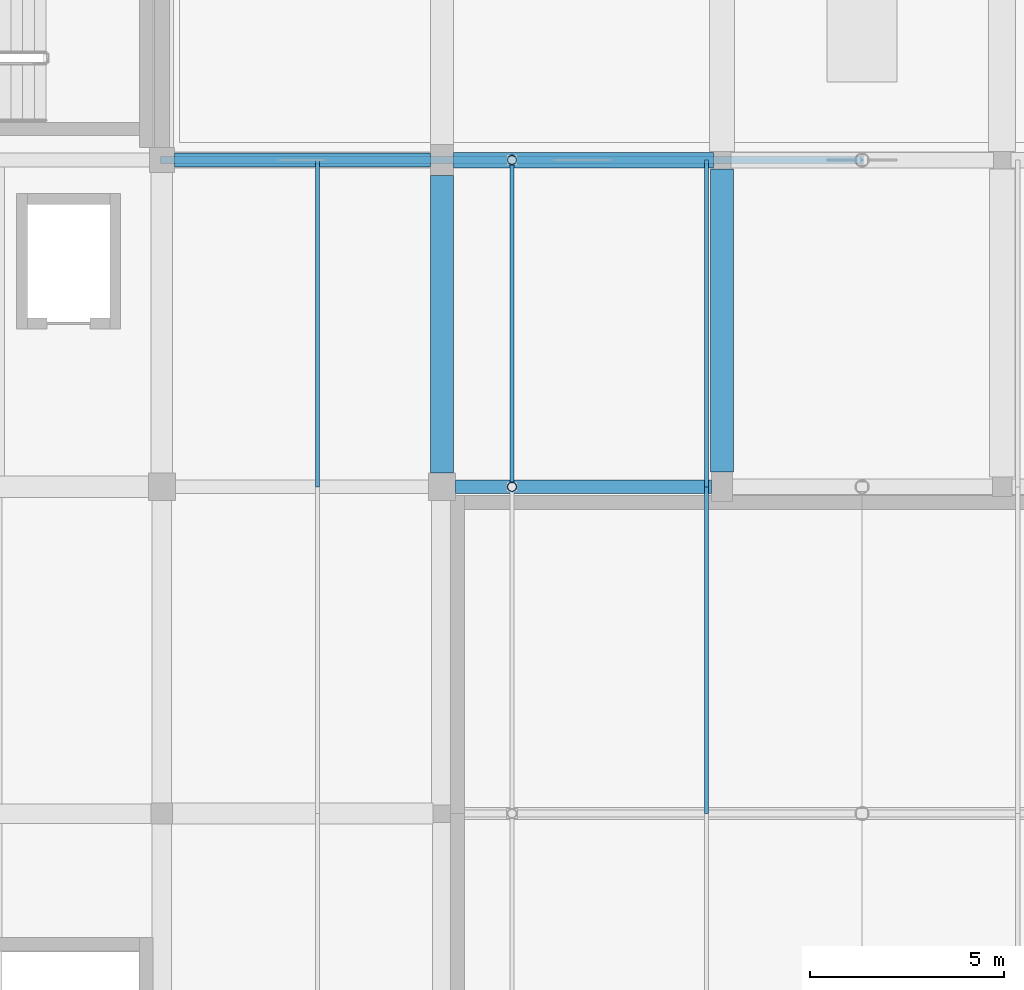
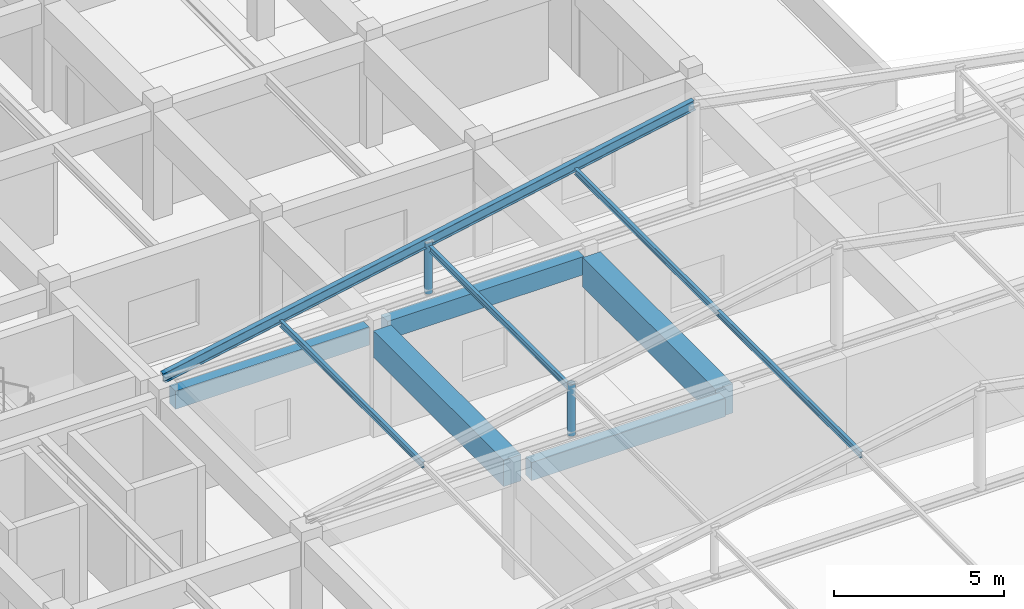
# One storey, part 32 of 74: 7 members, 5 beams.
"""IFC4 building model written with IfcOpenShell, lengths in metres."""

import ifcopenshell
import ifcopenshell.guid

model = None  # the IFC model being written
_history = None  # IfcOwnerHistory: only IFC2X3 demands one
_inside = {}  # id of a spatial element -> (the spatial element, [elements in it])
_under = {}  # id of a project, library or spatial element -> (it, [spatial elements below it])
_declared = {}  # id of a project -> (the project, [libraries it declares])
_typed = {}  # id of a type object -> (the type object, [elements of that type])
_made_of = {}  # id of a material, layer set ... -> (it, [elements and type objects made of it])


def new_model(schema):
    """Start an empty IFC model of exactly this schema.

    Asked for "IFC4X3", IfcOpenShell would pick the latest addendum, in which some entities
    have other attributes; the version numbers below select the first issue.
    IFC2X3 requires an IfcOwnerHistory on every rooted entity: one is made here for all.
    """
    global model, _history
    if schema == "IFC4X3":
        model = ifcopenshell.file(schema_version=(4, 3, 0, 0))
    else:
        model = ifcopenshell.file(schema=schema)
    _inside.clear()
    _under.clear()
    _declared.clear()
    _typed.clear()
    _made_of.clear()
    _history = None
    if model.schema == "IFC2X3":
        org = make("IfcOrganization", Name="unknown")
        user = make(
            "IfcPersonAndOrganization",
            ThePerson=make("IfcPerson", FamilyName="unknown"),
            TheOrganization=org,
        )
        app = make(
            "IfcApplication",
            ApplicationDeveloper=org,
            Version="unknown",
            ApplicationFullName="unknown",
            ApplicationIdentifier="unknown",
        )
        _history = make(
            "IfcOwnerHistory",
            OwningUser=user,
            OwningApplication=app,
            ChangeAction="ADDED",
            CreationDate=0,
        )
    return model


def make(cls, **values):
    """One entity of the class cls with the attributes given. An attribute that is None is left unset."""
    return model.create_entity(
        cls, **{name: value for name, value in values.items() if value is not None}
    )


def rooted(cls, **values):
    """An entity with a GlobalId (a new one), such as an element, a storey or a relation."""
    return make(cls, GlobalId=ifcopenshell.guid.new(), OwnerHistory=_history, **values)


def si_unit(unit_type, name, prefix=None):
    """IfcSIUnit, for example si_unit("LENGTHUNIT", "METRE", prefix="MILLI")."""
    return make("IfcSIUnit", UnitType=unit_type, Prefix=prefix, Name=name)


def assignment(units):
    """IfcUnitAssignment: the units of a project."""
    return None if units is None else make("IfcUnitAssignment", Units=units)


def point(xyz):
    """IfcCartesianPoint."""
    return None if xyz is None else make("IfcCartesianPoint", Coordinates=xyz)


def direction(xyz):
    """IfcDirection."""
    return None if xyz is None else make("IfcDirection", DirectionRatios=xyz)


def frame(location, z_axis=None, x_axis=None):
    """IfcAxis2Placement3D, a coordinate frame: its origin and axes. An axis left out is left unset."""
    return make(
        "IfcAxis2Placement3D",
        Location=point(location),
        Axis=direction(z_axis),
        RefDirection=direction(x_axis),
    )


def frame_2d(location, x_axis=None):
    """IfcAxis2Placement2D, a coordinate frame in the plane: its origin and x axis."""
    return make(
        "IfcAxis2Placement2D", Location=point(location), RefDirection=direction(x_axis)
    )


def origin():
    """The frame at (0, 0, 0) with its axes left unset."""
    return frame((0.0, 0.0, 0.0))


def origin_2d():
    """The frame at (0, 0) in the plane with its x axis left unset."""
    return frame_2d((0.0, 0.0))


def place(relative_to, where):
    """IfcLocalPlacement: puts the frame where relative to a parent placement (None: the world)."""
    return make(
        "IfcLocalPlacement", PlacementRelTo=relative_to, RelativePlacement=where
    )


def context(
    kind, dimensions, precision=None, world=None, true_north=None, identifier=None
):
    """IfcGeometricRepresentationContext, for example the 3D "Model" context."""
    return make(
        "IfcGeometricRepresentationContext",
        ContextIdentifier=identifier,
        ContextType=kind,
        CoordinateSpaceDimension=dimensions,
        Precision=precision,
        WorldCoordinateSystem=world,
        TrueNorth=true_north,
    )


def subcontext(parent, identifier, kind, view, scale=None):
    """IfcGeometricRepresentationSubContext, for example "Body" below "Model"."""
    return make(
        "IfcGeometricRepresentationSubContext",
        ContextIdentifier=identifier,
        ContextType=kind,
        ParentContext=parent,
        TargetScale=scale,
        TargetView=view,
    )


def project(units=None, contexts=None):
    """IfcProject with its units and contexts."""
    return rooted(
        "IfcProject",
        Name="project",
        RepresentationContexts=contexts,
        UnitsInContext=assignment(units),
    )


def spatial(cls, under=None, at=None, **own):
    """A site, building, storey or space (cls), placed at a placement, below another one or the project."""
    s = rooted(cls, ObjectPlacement=at, **own)
    if under is not None:
        _under.setdefault(under.id(), (under, []))[1].append(s)
    return s


def profile(cls, at=None, kind="AREA", **sizes):
    """A parametric profile (cls). Its sizes go by their IFC names, for example OverallWidth=200.0."""
    return make(cls, ProfileType=kind, Position=at, **sizes)


def rectangle(**sizes):
    """IfcRectangleProfileDef."""
    return profile("IfcRectangleProfileDef", **sizes)


def hollow_circle(**sizes):
    """IfcCircleHollowProfileDef."""
    return profile("IfcCircleHollowProfileDef", **sizes)


def i_section(**sizes):
    """IfcIShapeProfileDef."""
    return profile("IfcIShapeProfileDef", **sizes)


def extrude(swept, where, along, depth):
    """IfcExtrudedAreaSolid: the profile swept, set in the frame where, extruded along a direction by depth."""
    return make(
        "IfcExtrudedAreaSolid",
        SweptArea=swept,
        Position=where,
        ExtrudedDirection=direction(along),
        Depth=depth,
    )


def shape(context_of_items, identifier, shape_type, items):
    """IfcShapeRepresentation: the items that make up one representation, for example the "Body"."""
    return make(
        "IfcShapeRepresentation",
        ContextOfItems=context_of_items,
        RepresentationIdentifier=identifier,
        RepresentationType=shape_type,
        Items=items,
    )


def material(Name=None, Category=None):
    """IfcMaterial."""
    return make("IfcMaterial", Name=Name, Category=Category)


def material_profile(
    of_material, cross_section, Name=None, Category=None, Priority=None
):
    """IfcMaterialProfile: a cross section and its material."""
    return make(
        "IfcMaterialProfile",
        Name=Name,
        Material=of_material,
        Profile=cross_section,
        Priority=Priority,
        Category=Category,
    )


def profile_set(profiles, Name=None, composite=None):
    """IfcMaterialProfileSet."""
    return make(
        "IfcMaterialProfileSet",
        Name=Name,
        MaterialProfiles=profiles,
        CompositeProfile=composite,
    )


def made_of(thing, what):
    """Note that an element or type object is made of a material, layer set ...; save() writes the relation."""
    if what is not None:
        _made_of.setdefault(what.id(), (what, []))[1].append(thing)
    return thing


def type_object(cls, material=None, **own):
    """A type object (cls), such as IfcWallType, which elements share."""
    return made_of(rooted(cls, **own), material)


def element(
    cls,
    number,
    at=None,
    inside=None,
    cuts=None,
    type_object=None,
    material=None,
    context=None,
    identifier="Body",
    shape_type=None,
    held_by="IfcProductDefinitionShape",
    body=None,
    shapes=None,
    **own,
):
    """One element of the class cls, such as IfcWall. Its Tag is "e" and its number.

    at: its placement. inside: the storey or other place that contains it. cuts: it is an
    opening in that element (IfcRelVoidsElement). A single representation is given by context,
    identifier, shape_type and body (its items); several are given by shapes. held_by: the class
    of the entity that holds the representations. save() writes the other relations.
    """
    e = rooted(cls, Tag="e%d" % number, ObjectPlacement=at, **own)
    if body is not None:
        shapes = [shape(context, identifier, shape_type, body)]
    if shapes is not None:
        e.Representation = make(held_by, Representations=shapes)
    if inside is not None:
        _inside.setdefault(inside.id(), (inside, []))[1].append(e)
    if cuts is not None:
        rooted(
            "IfcRelVoidsElement", RelatingBuildingElement=cuts, RelatedOpeningElement=e
        )
    if type_object is not None:
        _typed.setdefault(type_object.id(), (type_object, []))[1].append(e)
    return made_of(e, material)


def aggregate(whole, parts):
    """IfcRelAggregates: a whole, such as a stair, and the parts it consists of."""
    return rooted("IfcRelAggregates", RelatingObject=whole, RelatedObjects=parts)


def save(model, path):
    """Write the relations noted so far, then the file.

    IfcRelAggregates (storeys below a building ...), IfcRelContainedInSpatialStructure (elements
    in a storey), IfcRelDefinesByType, IfcRelAssociatesMaterial and IfcRelDeclares: one each for
    every whole, place, type object, material and project.
    """
    for whole, parts in _under.values():
        aggregate(whole, parts)
    for where, things in _inside.values():
        rooted(
            "IfcRelContainedInSpatialStructure",
            RelatedElements=things,
            RelatingStructure=where,
        )
    for kind, things in _typed.values():
        rooted("IfcRelDefinesByType", RelatedObjects=things, RelatingType=kind)
    for what, things in _made_of.values():
        rooted("IfcRelAssociatesMaterial", RelatedObjects=things, RelatingMaterial=what)
    for by, libraries in _declared.values():
        rooted("IfcRelDeclares", RelatingContext=by, RelatedDefinitions=libraries)
    model.write(path)


model = new_model("IFC4")

# Units and contexts
model_context = context("Model", 3, precision=1e-05, world=origin(), true_north=direction((0.0, 1.0)))
body_context = subcontext(model_context, "Body", "Model", "MODEL_VIEW")
ifc_project = project(units=[si_unit("LENGTHUNIT", "METRE"), si_unit("AREAUNIT", "SQUARE_METRE"), si_unit("VOLUMEUNIT", "CUBIC_METRE"), si_unit("PLANEANGLEUNIT", "RADIAN"), si_unit("MASSUNIT", "GRAM", prefix="KILO")], contexts=[model_context])

# Site, building, storey
site_placement = place(None, origin())
site = spatial("IfcSite", under=ifc_project, at=site_placement, CompositionType="ELEMENT")
building_placement = place(site_placement, origin())
building = spatial("IfcBuilding", under=site, at=building_placement, Name="Korsvaeld Concert Hall", CompositionType="ELEMENT")
storey_placement = place(building_placement, frame((0.0, 0.0, 9.0)))
storey = spatial("IfcBuildingStorey", under=building, at=storey_placement, Name="L02", CompositionType="ELEMENT", Elevation=9.0)

# Beams
ifc_material_1 = material(Name="Concrete C35/45", Category="concrete")
ifc_material_profile_1 = material_profile(ifc_material_1, rectangle(XDim=0.35009765625, YDim=0.64990234375, at=origin_2d()), Name="RC 350x650")
ifc_profile_set_1 = profile_set([ifc_material_profile_1], Name="Concrete C35/45")
beam_type_1 = type_object("IfcBeamType", Name="BM-RC-350x650", PredefinedType="T_BEAM", material=ifc_profile_set_1)
beam_1_placement = place(storey_placement, frame((125.14990234375, 68.39990234375, 3.514892578125), z_axis=(1.0, 0.0, 0.0), x_axis=(0.0, 1.0, 0.0)))
element("IfcBeam", 1, at=beam_1_placement, inside=storey, type_object=beam_type_1, Name="Primary girder 17-18/K L02", PredefinedType="T_BEAM", context=body_context, shape_type="SweptSolid", body=[
    extrude(rectangle(XDim=0.35009765625, YDim=0.64990234375, at=origin_2d()), origin(), (0.0, 0.0, 1.0), 6.5751953125),
])
beam_2_placement = place(storey_placement, frame((117.925048828125, 76.800048828125, 3.514892578125), z_axis=(1.0, 0.0, 0.0), x_axis=(0.0, 1.0, 0.0)))
element("IfcBeam", 2, at=beam_2_placement, inside=storey, type_object=beam_type_1, Name="Primary girder 16-17/L L02", PredefinedType="T_BEAM", context=body_context, shape_type="SweptSolid", body=[
    extrude(rectangle(XDim=0.35009765625, YDim=0.64990234375, at=origin_2d()), origin(), (0.0, 0.0, 1.0), 6.574951171875),
])
ifc_material_profile_2 = material_profile(ifc_material_1, rectangle(XDim=0.39990234375, YDim=0.64990234375, at=origin_2d()), Name="RC 400x650")
ifc_profile_set_2 = profile_set([ifc_material_profile_2], Name="Concrete C35/45")
beam_type_2 = type_object("IfcBeamType", Name="BM-RC-400x650", PredefinedType="T_BEAM", material=ifc_profile_set_2)
beam_3_placement = place(storey_placement, frame((125.10009765625, 76.800048828125, 3.514892578125), z_axis=(1.0, 0.0, 0.0), x_axis=(0.0, 1.0, 0.0)))
element("IfcBeam", 3, at=beam_3_placement, inside=storey, type_object=beam_type_2, Name="Primary girder 17-18/L L02", PredefinedType="T_BEAM", context=body_context, shape_type="SweptSolid", body=[
    extrude(rectangle(XDim=0.39990234375, YDim=0.64990234375, at=origin_2d()), origin(), (0.0, 0.0, 1.0), 6.6748046875),
])
ifc_material_2 = material(Name="Concrete C40/50", Category="concrete")
ifc_material_profile_3 = material_profile(ifc_material_2, rectangle(XDim=0.60009765625, YDim=1.050048828125, at=origin_2d()), Name="RC 600x1050")
ifc_profile_set_3 = profile_set([ifc_material_profile_3], Name="Concrete C40/50")
beam_type_3 = type_object("IfcBeamType", Name="BM-RC-600x1050", PredefinedType="T_BEAM", material=ifc_profile_set_3)
beam_4_placement = place(storey_placement, frame((132.0, 68.77490234375, 3.31494140625), z_axis=(0.0, 1.0, 0.0), x_axis=(-1.0, 0.0, 0.0)))
element("IfcBeam", 4, at=beam_4_placement, inside=storey, type_object=beam_type_3, Name="Primary girder 18/K-L L02", PredefinedType="T_BEAM", context=body_context, shape_type="SweptSolid", body=[
    extrude(rectangle(XDim=0.60009765625, YDim=1.050048828125, at=origin_2d()), origin(), (0.0, 0.0, 1.0), 7.800048828125),
])
ifc_material_profile_4 = material_profile(ifc_material_2, rectangle(XDim=0.60009765625, YDim=0.949951171875, at=origin_2d()), Name="RC 600x950")
ifc_profile_set_4 = profile_set([ifc_material_profile_4], Name="Concrete C40/50")
beam_type_4 = type_object("IfcBeamType", Name="BM-RC-600x950", PredefinedType="T_BEAM", material=ifc_profile_set_4)
beam_5_placement = place(storey_placement, frame((124.800048828125, 68.75, 3.364990234375), z_axis=(0.0, 1.0, 0.0), x_axis=(-1.0, 0.0, 0.0)))
element("IfcBeam", 5, at=beam_5_placement, inside=storey, type_object=beam_type_4, Name="Primary girder 17/K-L L02", PredefinedType="T_BEAM", context=body_context, shape_type="SweptSolid", body=[
    extrude(rectangle(XDim=0.60009765625, YDim=0.949951171875, at=origin_2d()), origin(), (0.0, 0.0, 1.0), 7.64990234375),
])

# Members
ifc_material_3 = material(Name="Steel S355J2", Category="steel")
ifc_material_profile_5 = material_profile(ifc_material_3, i_section(OverallWidth=0.110107421875, OverallDepth=0.219970703125, WebThickness=0.005859375, FlangeThickness=0.00927734375, FilletRadius=0.011962890625, at=origin_2d()), Name="IPE 220")
ifc_profile_set_5 = profile_set([ifc_material_profile_5], Name="Steel S355J2")
member_type_1 = type_object("IfcMemberType", Name="MEM-PUR-IPE220", PredefinedType="PURLIN", material=ifc_profile_set_5)
for number, where, z_axis, x_axis, name in (
    (6, (121.60009765625, 68.39990234375, 4.89990234375), (0.0, 1.0, 0.0), (-1.0, 0.0, 0.0), "Chamber Hall roof purlin 121.4"),
    (7, (126.60009765625, 68.39990234375, 5.8798828125), (0.0, 1.0, 0.0), (-1.0, 0.0, 0.0), "Chamber Hall roof purlin 126.4"),
):
    element("IfcMember", number, at=place(storey_placement, frame(where, z_axis=z_axis, x_axis=x_axis)), inside=storey, type_object=member_type_1, Name=name, PredefinedType="PURLIN", context=body_context, shape_type="SweptSolid", body=[
        extrude(i_section(OverallWidth=0.110107421875, OverallDepth=0.219970703125, WebThickness=0.005859375, FlangeThickness=0.00927734375, FilletRadius=0.011962890625, at=origin_2d()), origin(), (0.0, 0.0, 1.0), 8.400146484375),
    ])
member_1_placement = place(storey_placement, frame((131.60009765625, 60.0, 6.85009765625), z_axis=(0.0, 1.0, 0.0), x_axis=(-1.0, 0.0, 0.0)))
element("IfcMember", 8, at=member_1_placement, inside=storey, type_object=member_type_1, Name="Chamber Hall roof purlin 131.3", PredefinedType="PURLIN", context=body_context, shape_type="SweptSolid", body=[
    extrude(i_section(OverallWidth=0.110107421875, OverallDepth=0.219970703125, WebThickness=0.005859375, FlangeThickness=0.00927734375, FilletRadius=0.011962890625, at=origin_2d()), origin(), (0.0, 0.0, 1.0), 8.39990234375),
])
member_2_placement = place(storey_placement, frame((131.60009765625, 68.39990234375, 6.85009765625), z_axis=(0.0, 1.0, 0.0), x_axis=(-1.0, 0.0, 0.0)))
element("IfcMember", 9, at=member_2_placement, inside=storey, type_object=member_type_1, Name="Chamber Hall roof purlin 131.4", PredefinedType="PURLIN", context=body_context, shape_type="SweptSolid", body=[
    extrude(i_section(OverallWidth=0.110107421875, OverallDepth=0.219970703125, WebThickness=0.005859375, FlangeThickness=0.00927734375, FilletRadius=0.011962890625, at=origin_2d()), origin(), (0.0, 0.0, 1.0), 8.400146484375),
])
ifc_material_profile_6 = material_profile(ifc_material_3, i_section(OverallWidth=0.169921875, OverallDepth=0.360107421875, WebThickness=0.008056640625, FlangeThickness=0.0126953125, FilletRadius=0.01806640625, at=origin_2d()), Name="IPE 360")
ifc_profile_set_6 = profile_set([ifc_material_profile_6], Name="Steel S355J2")
member_type_2 = type_object("IfcMemberType", Name="MEM-RAF-IPE360", PredefinedType="RAFTER", material=ifc_profile_set_6)
member_3_placement = place(storey_placement, frame((117.60009765625, 76.800048828125, 4.35009765625), z_axis=(0.981615389669, 0.0, 0.190869659102), x_axis=(0.0, 1.0, 0.0)))
element("IfcMember", 10, at=member_3_placement, inside=storey, type_object=member_type_2, Name="Chamber Hall west pitched rafter 5", PredefinedType="RAFTER", context=body_context, shape_type="SweptSolid", body=[
    extrude(i_section(OverallWidth=0.169921875, OverallDepth=0.360107421875, WebThickness=0.008056640625, FlangeThickness=0.0126953125, FilletRadius=0.01806640625, at=origin_2d()), origin(), (0.0, 0.0, 1.0), 18.337158203125),
])
ifc_material_profile_7 = material_profile(ifc_material_3, hollow_circle(Radius=0.122314453125, WallThickness=0.012451171875, at=origin_2d()), Name="CHS 244.5x12.5")
ifc_profile_set_7 = profile_set([ifc_material_profile_7], Name="Steel S355J2")
member_type_3 = type_object("IfcMemberType", Name="MEM-STR-CHS244", PredefinedType="STRUT", material=ifc_profile_set_7)
for number, where, z_axis, x_axis, name in (
    (11, (126.60009765625, 68.39990234375, 4.25), (0.0, 0.0, 1.0), (1.0, 0.0, 0.0), "Chamber Hall truss web 4.126"),
    (12, (126.60009765625, 76.800048828125, 4.25), (0.0, 0.0, 1.0), (1.0, 0.0, 0.0), "Chamber Hall truss web 5.126"),
):
    element("IfcMember", number, at=place(storey_placement, frame(where, z_axis=z_axis, x_axis=x_axis)), inside=storey, type_object=member_type_3, Name=name, PredefinedType="STRUT", context=body_context, shape_type="SweptSolid", body=[
        extrude(hollow_circle(Radius=0.122314453125, WallThickness=0.012451171875, at=origin_2d()), origin(), (0.0, 0.0, 1.0), 1.85009765625),
    ])

save(model, "model.ifc")
